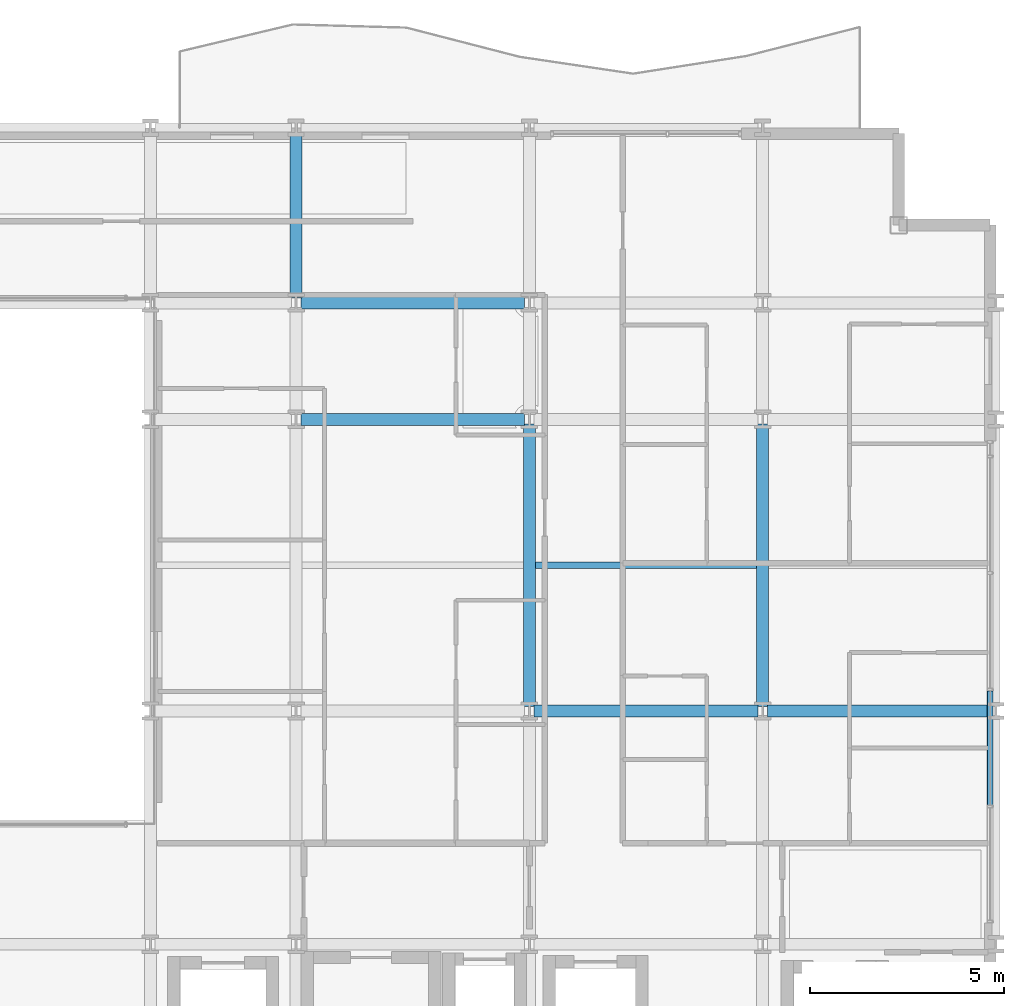
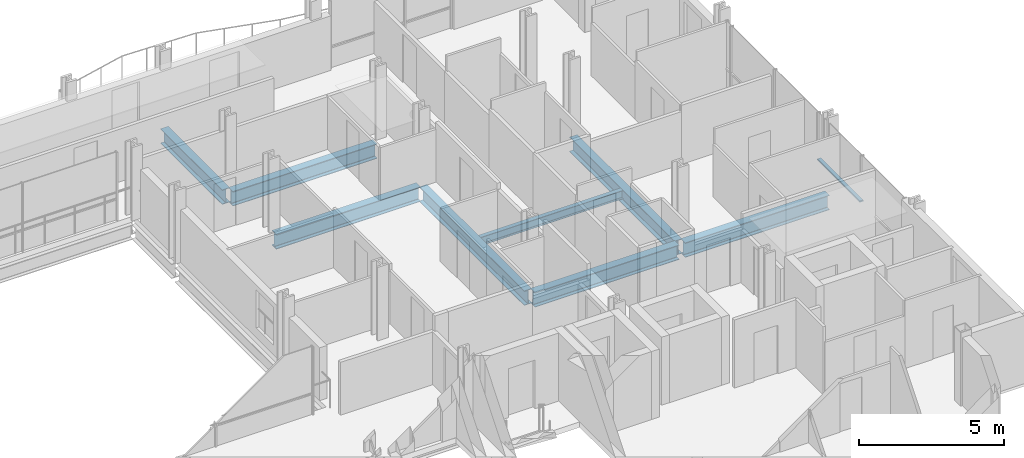
# One storey, part 18 of 41: 8 beams, 1 member, 1 element without a shape of its own.
"""IFC4 building model written with IfcOpenShell, lengths in metres."""

import ifcopenshell
import ifcopenshell.guid

model = None  # the IFC model being written
_history = None  # IfcOwnerHistory: only IFC2X3 demands one
_inside = {}  # id of a spatial element -> (the spatial element, [elements in it])
_under = {}  # id of a project, library or spatial element -> (it, [spatial elements below it])
_declared = {}  # id of a project -> (the project, [libraries it declares])
_typed = {}  # id of a type object -> (the type object, [elements of that type])
_made_of = {}  # id of a material, layer set ... -> (it, [elements and type objects made of it])


def new_model(schema):
    """Start an empty IFC model of exactly this schema.

    Asked for "IFC4X3", IfcOpenShell would pick the latest addendum, in which some entities
    have other attributes; the version numbers below select the first issue.
    IFC2X3 requires an IfcOwnerHistory on every rooted entity: one is made here for all.
    """
    global model, _history
    if schema == "IFC4X3":
        model = ifcopenshell.file(schema_version=(4, 3, 0, 0))
    else:
        model = ifcopenshell.file(schema=schema)
    _inside.clear()
    _under.clear()
    _declared.clear()
    _typed.clear()
    _made_of.clear()
    _history = None
    if model.schema == "IFC2X3":
        org = make("IfcOrganization", Name="unknown")
        user = make(
            "IfcPersonAndOrganization",
            ThePerson=make("IfcPerson", FamilyName="unknown"),
            TheOrganization=org,
        )
        app = make(
            "IfcApplication",
            ApplicationDeveloper=org,
            Version="unknown",
            ApplicationFullName="unknown",
            ApplicationIdentifier="unknown",
        )
        _history = make(
            "IfcOwnerHistory",
            OwningUser=user,
            OwningApplication=app,
            ChangeAction="ADDED",
            CreationDate=0,
        )
    return model


def make(cls, **values):
    """One entity of the class cls with the attributes given. An attribute that is None is left unset."""
    return model.create_entity(
        cls, **{name: value for name, value in values.items() if value is not None}
    )


def rooted(cls, **values):
    """An entity with a GlobalId (a new one), such as an element, a storey or a relation."""
    return make(cls, GlobalId=ifcopenshell.guid.new(), OwnerHistory=_history, **values)


def si_unit(unit_type, name, prefix=None):
    """IfcSIUnit, for example si_unit("LENGTHUNIT", "METRE", prefix="MILLI")."""
    return make("IfcSIUnit", UnitType=unit_type, Prefix=prefix, Name=name)


def assignment(units):
    """IfcUnitAssignment: the units of a project."""
    return None if units is None else make("IfcUnitAssignment", Units=units)


def point(xyz):
    """IfcCartesianPoint."""
    return None if xyz is None else make("IfcCartesianPoint", Coordinates=xyz)


def direction(xyz):
    """IfcDirection."""
    return None if xyz is None else make("IfcDirection", DirectionRatios=xyz)


def frame(location, z_axis=None, x_axis=None):
    """IfcAxis2Placement3D, a coordinate frame: its origin and axes. An axis left out is left unset."""
    return make(
        "IfcAxis2Placement3D",
        Location=point(location),
        Axis=direction(z_axis),
        RefDirection=direction(x_axis),
    )


def frame_2d(location, x_axis=None):
    """IfcAxis2Placement2D, a coordinate frame in the plane: its origin and x axis."""
    return make(
        "IfcAxis2Placement2D", Location=point(location), RefDirection=direction(x_axis)
    )


def origin():
    """The frame at (0, 0, 0) with its axes left unset."""
    return frame((0.0, 0.0, 0.0))


def origin_2d():
    """The frame at (0, 0) in the plane with its x axis left unset."""
    return frame_2d((0.0, 0.0))


def place(relative_to, where):
    """IfcLocalPlacement: puts the frame where relative to a parent placement (None: the world)."""
    return make(
        "IfcLocalPlacement", PlacementRelTo=relative_to, RelativePlacement=where
    )


def context(
    kind, dimensions, precision=None, world=None, true_north=None, identifier=None
):
    """IfcGeometricRepresentationContext, for example the 3D "Model" context."""
    return make(
        "IfcGeometricRepresentationContext",
        ContextIdentifier=identifier,
        ContextType=kind,
        CoordinateSpaceDimension=dimensions,
        Precision=precision,
        WorldCoordinateSystem=world,
        TrueNorth=true_north,
    )


def subcontext(parent, identifier, kind, view, scale=None):
    """IfcGeometricRepresentationSubContext, for example "Body" below "Model"."""
    return make(
        "IfcGeometricRepresentationSubContext",
        ContextIdentifier=identifier,
        ContextType=kind,
        ParentContext=parent,
        TargetScale=scale,
        TargetView=view,
    )


def project(units=None, contexts=None):
    """IfcProject with its units and contexts."""
    return rooted(
        "IfcProject",
        Name="project",
        RepresentationContexts=contexts,
        UnitsInContext=assignment(units),
    )


def spatial(cls, under=None, at=None, **own):
    """A site, building, storey or space (cls), placed at a placement, below another one or the project."""
    s = rooted(cls, ObjectPlacement=at, **own)
    if under is not None:
        _under.setdefault(under.id(), (under, []))[1].append(s)
    return s


def profile(cls, at=None, kind="AREA", **sizes):
    """A parametric profile (cls). Its sizes go by their IFC names, for example OverallWidth=200.0."""
    return make(cls, ProfileType=kind, Position=at, **sizes)


def hollow_rectangle(**sizes):
    """IfcRectangleHollowProfileDef."""
    return profile("IfcRectangleHollowProfileDef", **sizes)


def i_section(**sizes):
    """IfcIShapeProfileDef."""
    return profile("IfcIShapeProfileDef", **sizes)


def extrude(swept, where, along, depth):
    """IfcExtrudedAreaSolid: the profile swept, set in the frame where, extruded along a direction by depth."""
    return make(
        "IfcExtrudedAreaSolid",
        SweptArea=swept,
        Position=where,
        ExtrudedDirection=direction(along),
        Depth=depth,
    )


def shape(context_of_items, identifier, shape_type, items):
    """IfcShapeRepresentation: the items that make up one representation, for example the "Body"."""
    return make(
        "IfcShapeRepresentation",
        ContextOfItems=context_of_items,
        RepresentationIdentifier=identifier,
        RepresentationType=shape_type,
        Items=items,
    )


def material(Name=None, Category=None):
    """IfcMaterial."""
    return make("IfcMaterial", Name=Name, Category=Category)


def layer(
    of_material, thickness, ventilated=None, Name=None, Category=None, Priority=None
):
    """IfcMaterialLayer: one layer of a wall or slab, of a material (None: an air gap)."""
    return make(
        "IfcMaterialLayer",
        Material=of_material,
        LayerThickness=thickness,
        IsVentilated=ventilated,
        Name=Name,
        Category=Category,
        Priority=Priority,
    )


def layer_set(layers, Name=None):
    """IfcMaterialLayerSet."""
    return make("IfcMaterialLayerSet", MaterialLayers=layers, LayerSetName=Name)


def material_profile(
    of_material, cross_section, Name=None, Category=None, Priority=None
):
    """IfcMaterialProfile: a cross section and its material."""
    return make(
        "IfcMaterialProfile",
        Name=Name,
        Material=of_material,
        Profile=cross_section,
        Priority=Priority,
        Category=Category,
    )


def profile_set(profiles, Name=None, composite=None):
    """IfcMaterialProfileSet."""
    return make(
        "IfcMaterialProfileSet",
        Name=Name,
        MaterialProfiles=profiles,
        CompositeProfile=composite,
    )


def made_of(thing, what):
    """Note that an element or type object is made of a material, layer set ...; save() writes the relation."""
    if what is not None:
        _made_of.setdefault(what.id(), (what, []))[1].append(thing)
    return thing


def type_object(cls, material=None, **own):
    """A type object (cls), such as IfcWallType, which elements share."""
    return made_of(rooted(cls, **own), material)


def element(
    cls,
    number,
    at=None,
    inside=None,
    cuts=None,
    type_object=None,
    material=None,
    context=None,
    identifier="Body",
    shape_type=None,
    held_by="IfcProductDefinitionShape",
    body=None,
    shapes=None,
    **own,
):
    """One element of the class cls, such as IfcWall. Its Tag is "e" and its number.

    at: its placement. inside: the storey or other place that contains it. cuts: it is an
    opening in that element (IfcRelVoidsElement). A single representation is given by context,
    identifier, shape_type and body (its items); several are given by shapes. held_by: the class
    of the entity that holds the representations. save() writes the other relations.
    """
    e = rooted(cls, Tag="e%d" % number, ObjectPlacement=at, **own)
    if body is not None:
        shapes = [shape(context, identifier, shape_type, body)]
    if shapes is not None:
        e.Representation = make(held_by, Representations=shapes)
    if inside is not None:
        _inside.setdefault(inside.id(), (inside, []))[1].append(e)
    if cuts is not None:
        rooted(
            "IfcRelVoidsElement", RelatingBuildingElement=cuts, RelatedOpeningElement=e
        )
    if type_object is not None:
        _typed.setdefault(type_object.id(), (type_object, []))[1].append(e)
    return made_of(e, material)


def aggregate(whole, parts):
    """IfcRelAggregates: a whole, such as a stair, and the parts it consists of."""
    return rooted("IfcRelAggregates", RelatingObject=whole, RelatedObjects=parts)


def save(model, path):
    """Write the relations noted so far, then the file.

    IfcRelAggregates (storeys below a building ...), IfcRelContainedInSpatialStructure (elements
    in a storey), IfcRelDefinesByType, IfcRelAssociatesMaterial and IfcRelDeclares: one each for
    every whole, place, type object, material and project.
    """
    for whole, parts in _under.values():
        aggregate(whole, parts)
    for where, things in _inside.values():
        rooted(
            "IfcRelContainedInSpatialStructure",
            RelatedElements=things,
            RelatingStructure=where,
        )
    for kind, things in _typed.values():
        rooted("IfcRelDefinesByType", RelatedObjects=things, RelatingType=kind)
    for what, things in _made_of.values():
        rooted("IfcRelAssociatesMaterial", RelatedObjects=things, RelatingMaterial=what)
    for by, libraries in _declared.values():
        rooted("IfcRelDeclares", RelatingContext=by, RelatedDefinitions=libraries)
    model.write(path)


model = new_model("IFC4")

# Units and contexts
model_context = context("Model", 3, precision=1e-05, world=origin(), true_north=direction((0.0, 1.0)))
body_context = subcontext(model_context, "Body", "Model", "MODEL_VIEW")
ifc_project = project(units=[si_unit("LENGTHUNIT", "METRE"), si_unit("AREAUNIT", "SQUARE_METRE"), si_unit("VOLUMEUNIT", "CUBIC_METRE"), si_unit("PLANEANGLEUNIT", "RADIAN"), si_unit("MASSUNIT", "GRAM", prefix="KILO")], contexts=[model_context])

# Site, building, storey
site_placement = place(None, origin())
site = spatial("IfcSite", under=ifc_project, at=site_placement, CompositionType="ELEMENT")
building_placement = place(site_placement, origin())
building = spatial("IfcBuilding", under=site, at=building_placement, Name="Brevholm Reach", CompositionType="ELEMENT")
storey_placement = place(building_placement, frame((0.0, 0.0, 43.5)))
storey = spatial("IfcBuildingStorey", under=building, at=storey_placement, Name="L11", CompositionType="ELEMENT", Elevation=43.5)

# Beams
ifc_material_1 = material(Name="Structural Steel S355J2", Category="steel")
ifc_material_profile_1 = material_profile(ifc_material_1, i_section(OverallWidth=0.17138671875, OverallDepth=0.35498046875, WebThickness=0.00732421875, FlangeThickness=0.011474609375, FilletRadius=0.01025390625, at=origin_2d()), Name="UKB 356x171x51")
ifc_profile_set_1 = profile_set([ifc_material_profile_1], Name="Structural Steel S355J2")
beam_type_1 = type_object("IfcBeamType", Name="BM-B356", PredefinedType="BEAM", material=ifc_profile_set_1)
beam_1_placement = place(storey_placement, frame((48.153564453125, 19.75, -0.407470703125), z_axis=(1.0, 0.0, 0.0), x_axis=(0.0, 1.0, 0.0)))
element("IfcBeam", 1, at=beam_1_placement, inside=storey, type_object=beam_type_1, Name="L11 Composite Secondary Floor Beam", PredefinedType="BEAM", context=body_context, shape_type="SweptSolid", body=[
    extrude(i_section(OverallWidth=0.17138671875, OverallDepth=0.35498046875, WebThickness=0.00732421875, FlangeThickness=0.011474609375, FilletRadius=0.01025390625, at=origin_2d()), origin(), (0.0, 0.0, 1.0), 5.69287109375),
])
ifc_material_2 = material(Name="Structural Steel S355J2", Category="steel")
ifc_material_profile_2 = material_profile(ifc_material_2, i_section(OverallWidth=0.30712890625, OverallDepth=0.6201171875, WebThickness=0.01416015625, FlangeThickness=0.023681640625, FilletRadius=0.0166015625, at=origin_2d()), Name="UKB 610x305x179")
ifc_profile_set_2 = profile_set([ifc_material_profile_2], Name="Structural Steel S355J2")
beam_type_2 = type_object("IfcBeamType", Name="BM-UKB610H", PredefinedType="USERDEFINED", material=ifc_profile_set_2)
for number, where, z_axis, x_axis, name in (
    (2, (48.1201171875, 16.0, -0.5400390625), (1.0, 0.0, 0.0), (0.0, 1.0, 0.0), "L11 G-06 Framing Beam"),
    (3, (54.1201171875, 16.0, -0.5400390625), (1.0, 0.0, 0.0), (0.0, 1.0, 0.0), "L11 G-06 Framing Beam"),
    (4, (42.1201171875, 23.5, -0.5400390625), (1.0, 0.0, 0.0), (0.0, 1.0, 0.0), "L11 G-06 Framing Beam"),
    (5, (42.1201171875, 26.5, -0.5400390625), (1.0, 0.0, 0.0), (0.0, 1.0, 0.0), "L11 G-06 Framing Beam"),
):
    element("IfcBeam", number, at=place(storey_placement, frame(where, z_axis=z_axis, x_axis=x_axis)), inside=storey, type_object=beam_type_2, Name=name, ObjectType="GIRDER", PredefinedType="USERDEFINED", context=body_context, shape_type="SweptSolid", body=[
        extrude(i_section(OverallWidth=0.30712890625, OverallDepth=0.6201171875, WebThickness=0.01416015625, FlangeThickness=0.023681640625, FilletRadius=0.0166015625, at=origin_2d()), origin(), (0.0, 0.0, 1.0), 5.759765625),
    ])
beam_2_placement = place(storey_placement, frame((42.0, 26.6201171875, -0.5400390625), z_axis=(0.0, 1.0, 0.0), x_axis=(-1.0, 0.0, 0.0)))
element("IfcBeam", 6, at=beam_2_placement, inside=storey, type_object=beam_type_2, Name="L11 G-06 Framing Beam", ObjectType="GIRDER", PredefinedType="USERDEFINED", context=body_context, shape_type="SweptSolid", body=[
    extrude(i_section(OverallWidth=0.30712890625, OverallDepth=0.6201171875, WebThickness=0.01416015625, FlangeThickness=0.023681640625, FilletRadius=0.0166015625, at=origin_2d()), origin(), (0.0, 0.0, 1.0), 4.259765625),
])
for number, where, z_axis, x_axis, name in (
    (7, (48.0, 16.1201171875, -0.5400390625), (0.0, 1.0, 0.0), (-1.0, 0.0, 0.0), "L11 G-06 Framing Beam"),
    (8, (54.0, 16.1201171875, -0.5400390625), (0.0, 1.0, 0.0), (-1.0, 0.0, 0.0), "L11 G-06 Framing Beam"),
):
    element("IfcBeam", number, at=place(storey_placement, frame(where, z_axis=z_axis, x_axis=x_axis)), inside=storey, type_object=beam_type_2, Name=name, ObjectType="GIRDER", PredefinedType="USERDEFINED", context=body_context, shape_type="SweptSolid", body=[
        extrude(i_section(OverallWidth=0.30712890625, OverallDepth=0.6201171875, WebThickness=0.01416015625, FlangeThickness=0.023681640625, FilletRadius=0.0166015625, at=origin_2d()), origin(), (0.0, 0.0, 1.0), 7.259765625),
    ])

# Curtain wall, member
ifc_material_3 = material(Name="Dark Anodised Aluminium 6063-T6 and Solar-Control Glass", Category="aluminium")
ifc_layer = layer(ifc_material_3, 0.14990234375)
ifc_layer_set = layer_set([ifc_layer], Name="Dark Anodised Aluminium 6063-T6 and Solar-Control Glass")
curtain_wall_type = type_object("IfcCurtainWallType", Name="CW-01", PredefinedType="NOTDEFINED", material=ifc_layer_set)
curtain_wall_placement = place(storey_placement, origin())
curtain_wall = element("IfcCurtainWall", 9, at=curtain_wall_placement, inside=storey, type_object=curtain_wall_type, Name="L11 Curtain Wall CW-01", PredefinedType="NOTDEFINED")
ifc_material_4 = material(Name="Dark Anodised Aluminium 6063-T6", Category="aluminium")
ifc_material_profile_3 = material_profile(ifc_material_4, hollow_rectangle(XDim=0.06494140625, YDim=0.14990234375, WallThickness=0.0048828125, InnerFilletRadius=0.0048828125, OuterFilletRadius=0.010009765625, at=origin_2d()), Name="RHS 150x65x5")
ifc_profile_set_3 = profile_set([ifc_material_profile_3], Name="Dark Anodised Aluminium 6063-T6")
member_type = type_object("IfcMemberType", Name="CWT-150", PredefinedType="NOTDEFINED", material=ifc_profile_set_3)
member_placement = place(storey_placement, frame((59.85009765625, 13.58251953125, 0.89990234375), z_axis=(0.0, 1.0, 0.0), x_axis=(0.0, 0.0, 1.0)))
member = element("IfcMember", 10, at=member_placement, type_object=member_type, Name="CT-150 Transom 2.1", ObjectType="TRANSOM", PredefinedType="USERDEFINED", context=body_context, shape_type="SweptSolid", body=[
    extrude(hollow_rectangle(XDim=0.06494140625, YDim=0.14990234375, WallThickness=0.0048828125, InnerFilletRadius=0.0048828125, OuterFilletRadius=0.010009765625, at=origin_2d()), origin(), (0.0, 0.0, 1.0), 2.93505859375),
])
aggregate(curtain_wall, [member])

save(model, "model.ifc")
